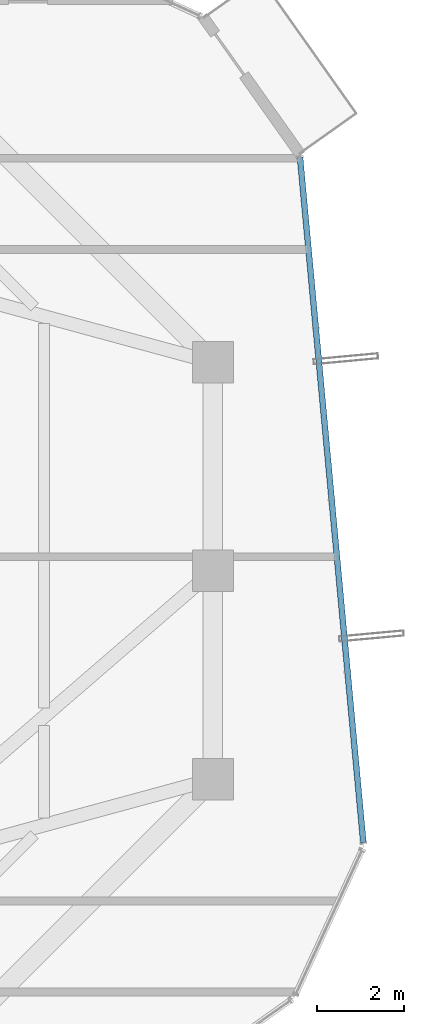
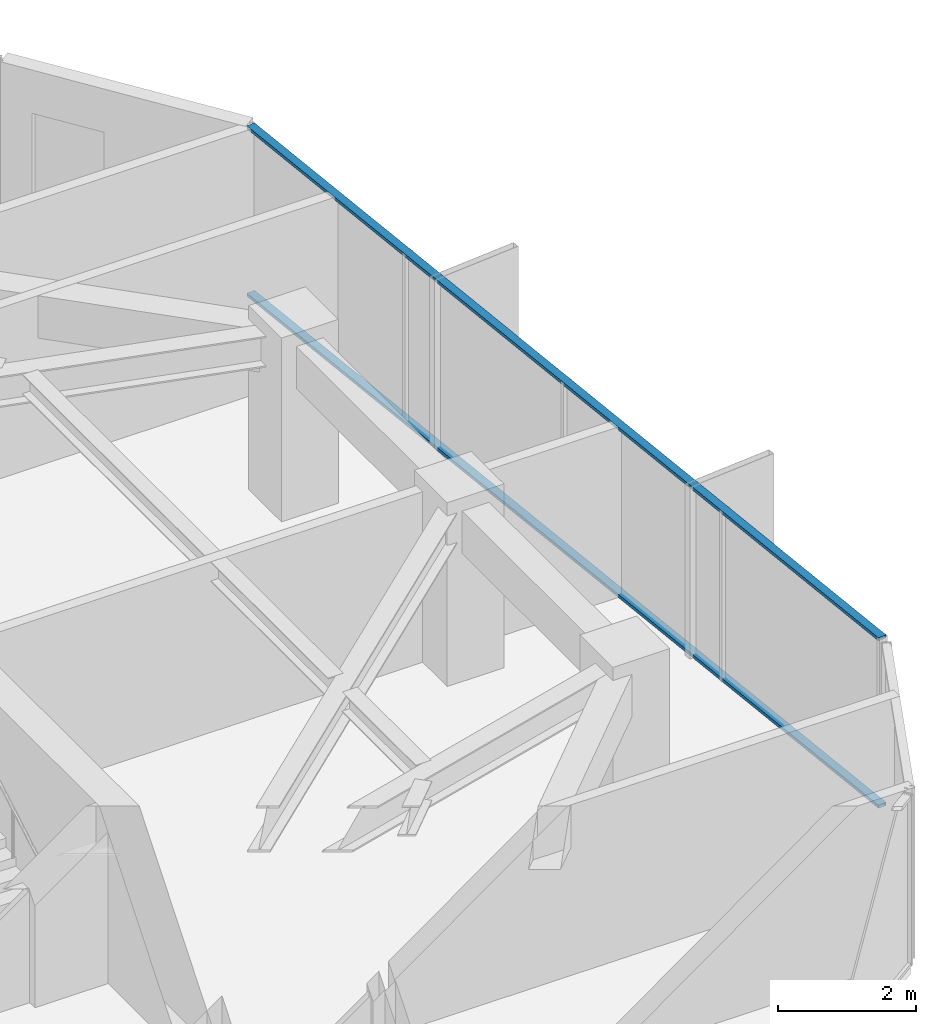
# One storey, part 19 of 32: 2 members, 1 element without a shape of its own.
"""IFC4 building model written with IfcOpenShell, lengths in metres."""

from ifc_helpers import new_model, si_unit, direction, frame, origin, origin_2d, place, context, subcontext, project, spatial, hollow_rectangle, extrude, source, transform, mapped, material, layer, layer_set, material_profile, profile_set, type_object, element, aggregate, save


model = new_model("IFC4")

# Units and contexts
model_context = context("Model", 3, precision=1e-05, world=origin(), true_north=direction((0.0, 1.0)))
body_context = subcontext(model_context, "Body", "Model", "MODEL_VIEW")
ifc_project = project(units=[si_unit("LENGTHUNIT", "METRE"), si_unit("AREAUNIT", "SQUARE_METRE"), si_unit("VOLUMEUNIT", "CUBIC_METRE"), si_unit("PLANEANGLEUNIT", "RADIAN"), si_unit("MASSUNIT", "GRAM", prefix="KILO")], contexts=[model_context])

# Site, building, storey
site_placement = place(None, origin())
site = spatial("IfcSite", under=ifc_project, at=site_placement, CompositionType="ELEMENT")
building_placement = place(site_placement, origin())
building = spatial("IfcBuilding", under=site, at=building_placement, Name="Veraguas Prism Commons", CompositionType="ELEMENT")
storey_placement = place(building_placement, frame((0.0, 0.0, 188.60009765625)))
storey = spatial("IfcBuildingStorey", under=building, at=storey_placement, Name="L53", CompositionType="ELEMENT", Elevation=188.60009765625)

# Curtain wall, members
ifc_material = material(Name="Anodised aluminium EN AW-6063 T6", Category="aluminium")
ifc_layer = layer(ifc_material, 0.14990234375, Name="Unitised Flush Curtain Wall Zone 3", Category="aluminium")
ifc_layer_set = layer_set([ifc_layer], Name="Anodised aluminium EN AW-6063 T6")
curtain_wall_type = type_object("IfcCurtainWallType", Name="Unitised Flush Curtain Wall Zone 3", PredefinedType="NOTDEFINED", material=ifc_layer_set)
curtain_wall_placement = place(storey_placement, origin())
curtain_wall = element("IfcCurtainWall", 1, at=curtain_wall_placement, inside=storey, type_object=curtain_wall_type, Name="Tower Facade Curtain Wall L53-F6", PredefinedType="NOTDEFINED")
ifc_material_profile = material_profile(ifc_material, hollow_rectangle(XDim=0.054931640625, YDim=0.135009765625, WallThickness=0.0029296875, at=origin_2d()), Name="AL55X135X3")
ifc_profile_set = profile_set([ifc_material_profile], Name="Anodised aluminium EN AW-6063 T6")
member_type = type_object("IfcMemberType", Name="Curtain Wall Transom Standard AL 55x135x3", PredefinedType="USERDEFINED", material=ifc_profile_set)
shared_shape = source(origin(), body_context, "Body", "SweptSolid", [
    extrude(hollow_rectangle(XDim=0.054931640625, YDim=0.135009765625, WallThickness=0.0029296875, at=origin_2d()), origin(), (0.0, 0.0, 1.0), 15.84228515625),
])
member_1_placement = place(storey_placement, frame((42.364013671875, 17.7421875, 0.02734375), z_axis=(-0.092016834217, 0.995757451501, 0.0), x_axis=(0.0, 0.0, 1.0)))
member_1 = element("IfcMember", 2, at=member_1_placement, type_object=member_type, Name="CW-Z3 Transom 1", ObjectType="TRANSOM", PredefinedType="USERDEFINED", context=body_context, shape_type="MappedRepresentation", body=[
    mapped(shared_shape, transform((0.0, 0.0, 0.0), scale=1.0)),
])
member_2_placement = place(storey_placement, frame((42.364013671875, 17.7421875, 2.9873046875), z_axis=(-0.092016834217, 0.995757451501, 0.0), x_axis=(0.0, 0.0, 1.0)))
member_2 = element("IfcMember", 3, at=member_2_placement, type_object=member_type, Name="CW-Z3 Transom 2", ObjectType="TRANSOM", PredefinedType="USERDEFINED", context=body_context, shape_type="MappedRepresentation", body=[
    mapped(shared_shape, transform((0.0, 0.0, 0.0), scale=1.0)),
])
aggregate(curtain_wall, [member_1, member_2])

save(model, "model.ifc")
